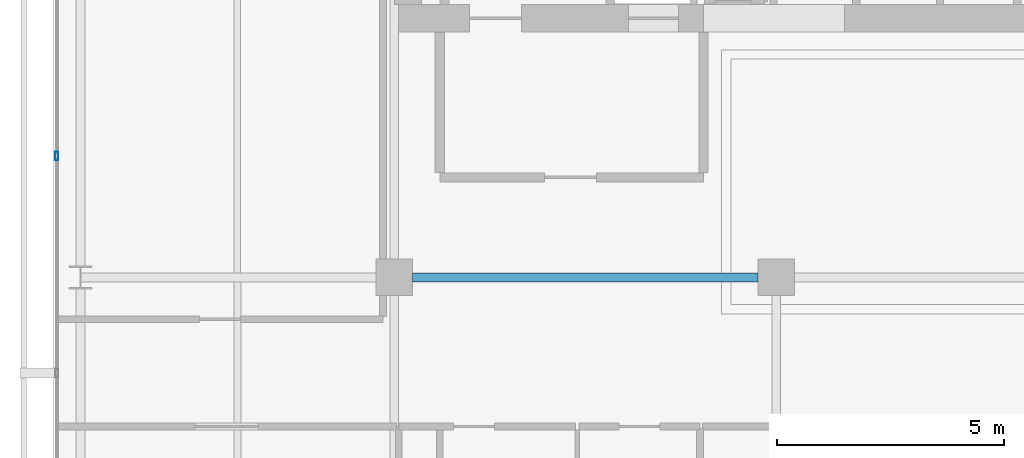
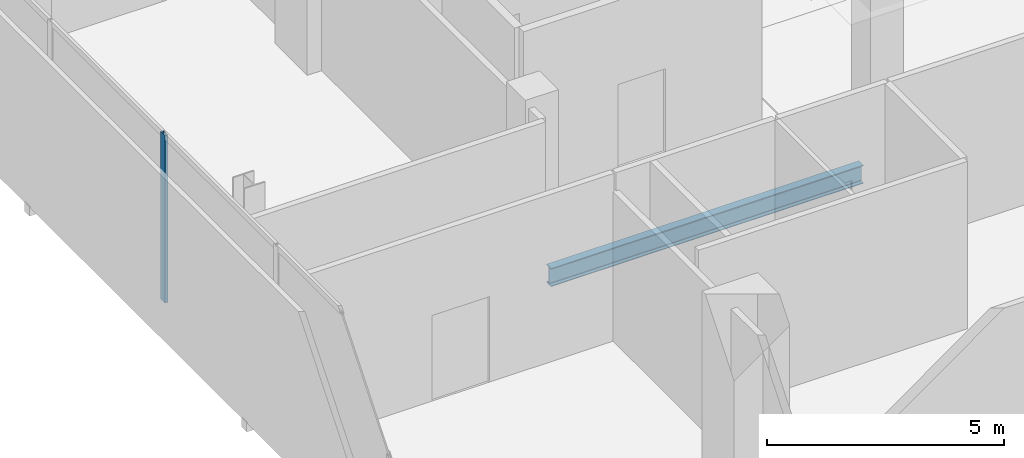
# One storey, part 8 of 23: 1 beam, 1 member, 1 element without a shape of its own.
"""IFC4 building model written with IfcOpenShell, lengths in metres."""

from ifc_helpers import new_model, si_unit, direction, frame, origin, origin_2d, place, context, subcontext, project, spatial, hollow_rectangle, i_section, extrude, material, layer, layer_set, material_profile, profile_set, type_object, element, aggregate, save


model = new_model("IFC4")

# Units and contexts
model_context = context("Model", 3, precision=1e-05, world=origin(), true_north=direction((0.0, 1.0)))
body_context = subcontext(model_context, "Body", "Model", "MODEL_VIEW")
ifc_project = project(units=[si_unit("LENGTHUNIT", "METRE"), si_unit("AREAUNIT", "SQUARE_METRE"), si_unit("VOLUMEUNIT", "CUBIC_METRE"), si_unit("PLANEANGLEUNIT", "RADIAN"), si_unit("MASSUNIT", "GRAM", prefix="KILO")], contexts=[model_context])

# Site, building, storey
site_placement = place(None, origin())
site = spatial("IfcSite", under=ifc_project, at=site_placement, CompositionType="ELEMENT")
building_placement = place(site_placement, origin())
building = spatial("IfcBuilding", under=site, at=building_placement, Name="Maruvema Waterfront Hotel and Observation Tower", CompositionType="ELEMENT")
storey_placement = place(building_placement, frame((0.0, 0.0, 345.10009765625)))
storey = spatial("IfcBuildingStorey", under=building, at=storey_placement, Name="L85", CompositionType="ELEMENT", Elevation=345.10009765625)

# Curtain wall, member
ifc_material_1 = material(Name="Anodised bronze aluminium and solar-control low-E IGU", Category="aluminium")
ifc_layer = layer(ifc_material_1, 0.159912109375, Name="Observation Crown Structural Glazed Curtain Wall System CW-06")
ifc_layer_set = layer_set([ifc_layer], Name="Anodised bronze aluminium and solar-control low-E IGU")
curtain_wall_type = type_object("IfcCurtainWallType", Name="Observation Crown Structural Glazed Curtain Wall System CW-06", PredefinedType="USERDEFINED", material=ifc_layer_set)
curtain_wall_placement = place(storey_placement, origin())
curtain_wall = element("IfcCurtainWall", 1, at=curtain_wall_placement, inside=storey, type_object=curtain_wall_type, Name="L85 Curtain Wall CW-L85-W", ObjectType="UNITISED CURTAIN WALL", PredefinedType="USERDEFINED")
ifc_material_2 = material(Name="Anodised architectural bronze aluminium", Category="aluminium")
ifc_material_profile_1 = material_profile(ifc_material_2, hollow_rectangle(XDim=0.070068359375, YDim=0.18994140625, WallThickness=0.00390625, at=origin_2d()), Name="ALU-M70x190")
ifc_profile_set_1 = profile_set([ifc_material_profile_1], Name="Anodised architectural bronze aluminium")
member_type = type_object("IfcMemberType", Name="Podium Storefront Heavy Mullion ALU-M70x190", PredefinedType="MULLION", material=ifc_profile_set_1)
member_placement = place(storey_placement, frame((17.780029296875, 38.666748046875, 0.0), z_axis=(0.0, 0.0, 1.0), x_axis=(1.0, 0.0, 0.0)))
member = element("IfcMember", 2, at=member_placement, type_object=member_type, Name="CW-06 mullion 3", PredefinedType="MULLION", context=body_context, shape_type="SweptSolid", body=[
    extrude(hollow_rectangle(XDim=0.070068359375, YDim=0.18994140625, WallThickness=0.00390625, at=origin_2d()), origin(), (0.0, 0.0, 1.0), 4.309814453125),
])
aggregate(curtain_wall, [member])

# Beam
ifc_material_3 = material(Name="Steel ASTM A572 Grade 50", Category="steel")
ifc_material_profile_2 = material_profile(ifc_material_3, i_section(OverallWidth=0.194091796875, OverallDepth=0.468994140625, WebThickness=0.0126953125, FlangeThickness=0.0205078125, FilletRadius=0.014892578125, at=origin_2d()), Name="W460x106.0")
ifc_profile_set_2 = profile_set([ifc_material_profile_2], Name="Steel ASTM A572 Grade 50")
beam_type = type_object("IfcBeamType", Name="Primary Floor Girder W460x106.0", PredefinedType="BEAM", material=ifc_profile_set_2)
beam_placement = place(storey_placement, frame((25.60009765625, 36.0, -0.474609375), z_axis=(1.0, 0.0, 0.0), x_axis=(0.0, 1.0, 0.0)))
element("IfcBeam", 3, at=beam_placement, inside=storey, type_object=beam_type, Name="L85 Floor Girder EW-11", PredefinedType="BEAM", context=body_context, shape_type="SweptSolid", body=[
    extrude(i_section(OverallWidth=0.194091796875, OverallDepth=0.468994140625, WebThickness=0.0126953125, FlangeThickness=0.0205078125, FilletRadius=0.014892578125, at=origin_2d()), origin(), (0.0, 0.0, 1.0), 7.599853515625),
])

save(model, "model.ifc")
